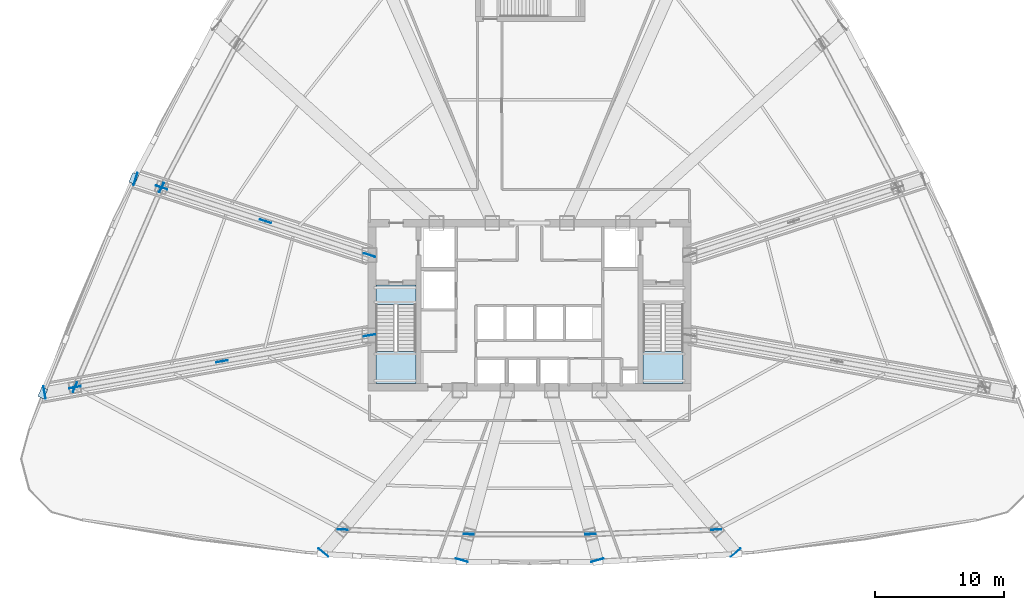
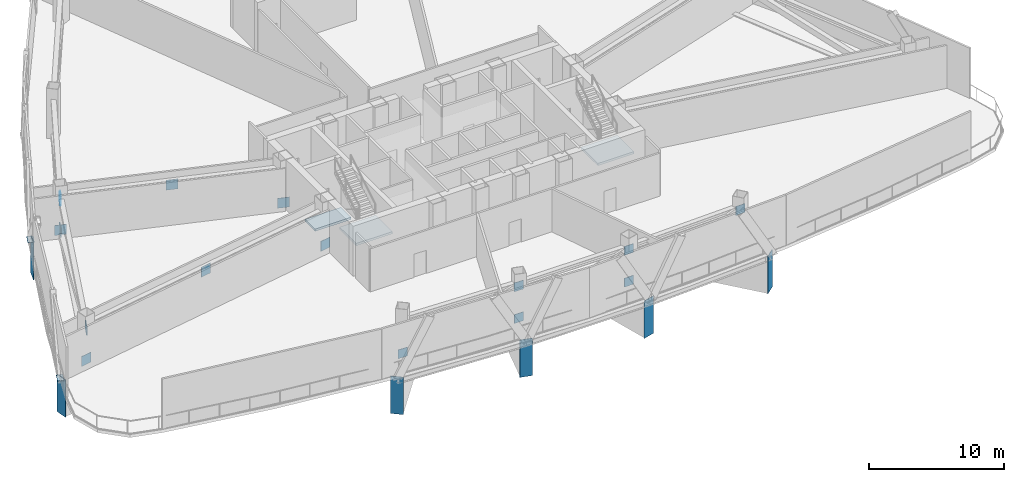
# One storey, part 4 of 17: 23 plates, 3 slabs, 2 elements without a shape of their own.
"""IFC4 building model written with IfcOpenShell, lengths in metres."""

import ifcopenshell
import ifcopenshell.guid

model = None  # the IFC model being written
_history = None  # IfcOwnerHistory: only IFC2X3 demands one
_inside = {}  # id of a spatial element -> (the spatial element, [elements in it])
_under = {}  # id of a project, library or spatial element -> (it, [spatial elements below it])
_declared = {}  # id of a project -> (the project, [libraries it declares])
_typed = {}  # id of a type object -> (the type object, [elements of that type])
_made_of = {}  # id of a material, layer set ... -> (it, [elements and type objects made of it])


def new_model(schema):
    """Start an empty IFC model of exactly this schema.

    Asked for "IFC4X3", IfcOpenShell would pick the latest addendum, in which some entities
    have other attributes; the version numbers below select the first issue.
    IFC2X3 requires an IfcOwnerHistory on every rooted entity: one is made here for all.
    """
    global model, _history
    if schema == "IFC4X3":
        model = ifcopenshell.file(schema_version=(4, 3, 0, 0))
    else:
        model = ifcopenshell.file(schema=schema)
    _inside.clear()
    _under.clear()
    _declared.clear()
    _typed.clear()
    _made_of.clear()
    _history = None
    if model.schema == "IFC2X3":
        org = make("IfcOrganization", Name="unknown")
        user = make(
            "IfcPersonAndOrganization",
            ThePerson=make("IfcPerson", FamilyName="unknown"),
            TheOrganization=org,
        )
        app = make(
            "IfcApplication",
            ApplicationDeveloper=org,
            Version="unknown",
            ApplicationFullName="unknown",
            ApplicationIdentifier="unknown",
        )
        _history = make(
            "IfcOwnerHistory",
            OwningUser=user,
            OwningApplication=app,
            ChangeAction="ADDED",
            CreationDate=0,
        )
    return model


def make(cls, **values):
    """One entity of the class cls with the attributes given. An attribute that is None is left unset."""
    return model.create_entity(
        cls, **{name: value for name, value in values.items() if value is not None}
    )


def rooted(cls, **values):
    """An entity with a GlobalId (a new one), such as an element, a storey or a relation."""
    return make(cls, GlobalId=ifcopenshell.guid.new(), OwnerHistory=_history, **values)


def si_unit(unit_type, name, prefix=None):
    """IfcSIUnit, for example si_unit("LENGTHUNIT", "METRE", prefix="MILLI")."""
    return make("IfcSIUnit", UnitType=unit_type, Prefix=prefix, Name=name)


def assignment(units):
    """IfcUnitAssignment: the units of a project."""
    return None if units is None else make("IfcUnitAssignment", Units=units)


def point(xyz):
    """IfcCartesianPoint."""
    return None if xyz is None else make("IfcCartesianPoint", Coordinates=xyz)


def direction(xyz):
    """IfcDirection."""
    return None if xyz is None else make("IfcDirection", DirectionRatios=xyz)


def frame(location, z_axis=None, x_axis=None):
    """IfcAxis2Placement3D, a coordinate frame: its origin and axes. An axis left out is left unset."""
    return make(
        "IfcAxis2Placement3D",
        Location=point(location),
        Axis=direction(z_axis),
        RefDirection=direction(x_axis),
    )


def frame_2d(location, x_axis=None):
    """IfcAxis2Placement2D, a coordinate frame in the plane: its origin and x axis."""
    return make(
        "IfcAxis2Placement2D", Location=point(location), RefDirection=direction(x_axis)
    )


def origin():
    """The frame at (0, 0, 0) with its axes left unset."""
    return frame((0.0, 0.0, 0.0))


def origin_2d():
    """The frame at (0, 0) in the plane with its x axis left unset."""
    return frame_2d((0.0, 0.0))


def place(relative_to, where):
    """IfcLocalPlacement: puts the frame where relative to a parent placement (None: the world)."""
    return make(
        "IfcLocalPlacement", PlacementRelTo=relative_to, RelativePlacement=where
    )


def context(
    kind, dimensions, precision=None, world=None, true_north=None, identifier=None
):
    """IfcGeometricRepresentationContext, for example the 3D "Model" context."""
    return make(
        "IfcGeometricRepresentationContext",
        ContextIdentifier=identifier,
        ContextType=kind,
        CoordinateSpaceDimension=dimensions,
        Precision=precision,
        WorldCoordinateSystem=world,
        TrueNorth=true_north,
    )


def subcontext(parent, identifier, kind, view, scale=None):
    """IfcGeometricRepresentationSubContext, for example "Body" below "Model"."""
    return make(
        "IfcGeometricRepresentationSubContext",
        ContextIdentifier=identifier,
        ContextType=kind,
        ParentContext=parent,
        TargetScale=scale,
        TargetView=view,
    )


def project(units=None, contexts=None):
    """IfcProject with its units and contexts."""
    return rooted(
        "IfcProject",
        Name="project",
        RepresentationContexts=contexts,
        UnitsInContext=assignment(units),
    )


def spatial(cls, under=None, at=None, **own):
    """A site, building, storey or space (cls), placed at a placement, below another one or the project."""
    s = rooted(cls, ObjectPlacement=at, **own)
    if under is not None:
        _under.setdefault(under.id(), (under, []))[1].append(s)
    return s


def polyline(points):
    """IfcPolyline through the points."""
    return make("IfcPolyline", Points=[point(p) for p in points])


def profile(cls, at=None, kind="AREA", **sizes):
    """A parametric profile (cls). Its sizes go by their IFC names, for example OverallWidth=200.0."""
    return make(cls, ProfileType=kind, Position=at, **sizes)


def rectangle(**sizes):
    """IfcRectangleProfileDef."""
    return profile("IfcRectangleProfileDef", **sizes)


def outline(outer, holes=None, kind="AREA"):
    """IfcArbitraryClosedProfileDef: a profile drawn as a closed curve; with holes, ...WithVoids."""
    if holes is None:
        return make("IfcArbitraryClosedProfileDef", ProfileType=kind, OuterCurve=outer)
    return make(
        "IfcArbitraryProfileDefWithVoids",
        ProfileType=kind,
        OuterCurve=outer,
        InnerCurves=holes,
    )


def extrude(swept, where, along, depth):
    """IfcExtrudedAreaSolid: the profile swept, set in the frame where, extruded along a direction by depth."""
    return make(
        "IfcExtrudedAreaSolid",
        SweptArea=swept,
        Position=where,
        ExtrudedDirection=direction(along),
        Depth=depth,
    )


def shape(context_of_items, identifier, shape_type, items):
    """IfcShapeRepresentation: the items that make up one representation, for example the "Body"."""
    return make(
        "IfcShapeRepresentation",
        ContextOfItems=context_of_items,
        RepresentationIdentifier=identifier,
        RepresentationType=shape_type,
        Items=items,
    )


def source(mapping_origin, context_of_items, identifier, shape_type, items):
    """IfcRepresentationMap: a shape defined once, which mapped items show again and again."""
    return make(
        "IfcRepresentationMap",
        MappingOrigin=mapping_origin,
        MappedRepresentation=shape(context_of_items, identifier, shape_type, items),
    )


def transform(
    local_origin,
    x_axis=None,
    y_axis=None,
    z_axis=None,
    scale=None,
    scale2=None,
    scale3=None,
    uniform=True,
):
    """IfcCartesianTransformationOperator3D, or its non-uniform kind. x_axis, y_axis, z_axis: its Axis1, 2, 3."""
    if uniform:
        return make(
            "IfcCartesianTransformationOperator3D",
            Axis1=direction(x_axis),
            Axis2=direction(y_axis),
            LocalOrigin=point(local_origin),
            Scale=scale,
            Axis3=direction(z_axis),
        )
    return make(
        "IfcCartesianTransformationOperator3DnonUniform",
        Axis1=direction(x_axis),
        Axis2=direction(y_axis),
        LocalOrigin=point(local_origin),
        Scale=scale,
        Axis3=direction(z_axis),
        Scale2=scale2,
        Scale3=scale3,
    )


def mapped(mapping_source, mapping_target):
    """IfcMappedItem: shows the shape of a source again, moved by a transform."""
    return make(
        "IfcMappedItem", MappingSource=mapping_source, MappingTarget=mapping_target
    )


def material(Name=None, Category=None):
    """IfcMaterial."""
    return make("IfcMaterial", Name=Name, Category=Category)


def layer(
    of_material, thickness, ventilated=None, Name=None, Category=None, Priority=None
):
    """IfcMaterialLayer: one layer of a wall or slab, of a material (None: an air gap)."""
    return make(
        "IfcMaterialLayer",
        Material=of_material,
        LayerThickness=thickness,
        IsVentilated=ventilated,
        Name=Name,
        Category=Category,
        Priority=Priority,
    )


def layer_set(layers, Name=None):
    """IfcMaterialLayerSet."""
    return make("IfcMaterialLayerSet", MaterialLayers=layers, LayerSetName=Name)


def made_of(thing, what):
    """Note that an element or type object is made of a material, layer set ...; save() writes the relation."""
    if what is not None:
        _made_of.setdefault(what.id(), (what, []))[1].append(thing)
    return thing


def type_object(cls, material=None, **own):
    """A type object (cls), such as IfcWallType, which elements share."""
    return made_of(rooted(cls, **own), material)


def element(
    cls,
    number,
    at=None,
    inside=None,
    cuts=None,
    type_object=None,
    material=None,
    context=None,
    identifier="Body",
    shape_type=None,
    held_by="IfcProductDefinitionShape",
    body=None,
    shapes=None,
    **own,
):
    """One element of the class cls, such as IfcWall. Its Tag is "e" and its number.

    at: its placement. inside: the storey or other place that contains it. cuts: it is an
    opening in that element (IfcRelVoidsElement). A single representation is given by context,
    identifier, shape_type and body (its items); several are given by shapes. held_by: the class
    of the entity that holds the representations. save() writes the other relations.
    """
    e = rooted(cls, Tag="e%d" % number, ObjectPlacement=at, **own)
    if body is not None:
        shapes = [shape(context, identifier, shape_type, body)]
    if shapes is not None:
        e.Representation = make(held_by, Representations=shapes)
    if inside is not None:
        _inside.setdefault(inside.id(), (inside, []))[1].append(e)
    if cuts is not None:
        rooted(
            "IfcRelVoidsElement", RelatingBuildingElement=cuts, RelatedOpeningElement=e
        )
    if type_object is not None:
        _typed.setdefault(type_object.id(), (type_object, []))[1].append(e)
    return made_of(e, material)


def aggregate(whole, parts):
    """IfcRelAggregates: a whole, such as a stair, and the parts it consists of."""
    return rooted("IfcRelAggregates", RelatingObject=whole, RelatedObjects=parts)


def save(model, path):
    """Write the relations noted so far, then the file.

    IfcRelAggregates (storeys below a building ...), IfcRelContainedInSpatialStructure (elements
    in a storey), IfcRelDefinesByType, IfcRelAssociatesMaterial and IfcRelDeclares: one each for
    every whole, place, type object, material and project.
    """
    for whole, parts in _under.values():
        aggregate(whole, parts)
    for where, things in _inside.values():
        rooted(
            "IfcRelContainedInSpatialStructure",
            RelatedElements=things,
            RelatingStructure=where,
        )
    for kind, things in _typed.values():
        rooted("IfcRelDefinesByType", RelatedObjects=things, RelatingType=kind)
    for what, things in _made_of.values():
        rooted("IfcRelAssociatesMaterial", RelatedObjects=things, RelatingMaterial=what)
    for by, libraries in _declared.values():
        rooted("IfcRelDeclares", RelatingContext=by, RelatedDefinitions=libraries)
    model.write(path)


model = new_model("IFC4")

# Units and contexts
model_context = context("Model", 3, precision=1e-05, world=origin(), true_north=direction((0.0, 1.0)))
body_context = subcontext(model_context, "Body", "Model", "MODEL_VIEW")
ifc_project = project(units=[si_unit("LENGTHUNIT", "METRE"), si_unit("AREAUNIT", "SQUARE_METRE"), si_unit("VOLUMEUNIT", "CUBIC_METRE"), si_unit("PLANEANGLEUNIT", "RADIAN"), si_unit("MASSUNIT", "GRAM", prefix="KILO"), si_unit("THERMODYNAMICTEMPERATUREUNIT", "KELVIN"), si_unit("POWERUNIT", "WATT")], contexts=[model_context])

# Site, building, storey
site_placement = place(None, origin())
site = spatial("IfcSite", under=ifc_project, at=site_placement, CompositionType="ELEMENT")
building_placement = place(site_placement, origin())
building = spatial("IfcBuilding", under=site, at=building_placement, Name="Yunzhuo Pagoda Commons", CompositionType="ELEMENT")
storey_placement = place(building_placement, frame((0.0, 0.0, 176.159912109375)))
storey = spatial("IfcBuildingStorey", under=building, at=storey_placement, Name="L44", CompositionType="ELEMENT", Elevation=176.159912109375)

# Stair, slabs
ifc_material_1 = material(Name="Concrete C40", Category="concrete")
stair_type_1 = type_object("IfcStairType", Name="ST-C1 Core Smokeproof Stair ST1", PredefinedType="HALF_TURN_STAIR", material=ifc_material_1)
stair_1_placement = place(storey_placement, origin())
stair_1 = element("IfcStair", 1, at=stair_1_placement, inside=storey, type_object=stair_type_1, Name="L44 Core smokeproof stair ST1", PredefinedType="HALF_TURN_STAIR")
ifc_layer_1 = layer(ifc_material_1, 0.199951171875)
ifc_layer_set_1 = layer_set([ifc_layer_1], Name="Concrete C40")
slab_type_1 = type_object("IfcSlabType", Name="SL-LND1 Stair Landing Slab 200", PredefinedType="LANDING", material=ifc_layer_set_1)
slab_1_placement = place(storey_placement, frame((0.0, 0.0, 2.2001953125)))
slab_1 = element("IfcSlab", 2, at=slab_1_placement, type_object=slab_type_1, Name="ST1 landing 1", PredefinedType="LANDING", context=body_context, shape_type="SweptSolid", body=[
    extrude(outline(polyline([(36.10009765625, 30.260009765625), (36.10009765625, 27.800048828125), (39.199951171875, 27.800048828125), (39.199951171875, 30.260009765625), (36.10009765625, 30.260009765625)])), origin(), (0.0, 0.0, 1.0), 0.199951171875),
])
slab_2_placement = place(storey_placement, frame((0.0, 0.0, -0.199951171875)))
slab_2 = element("IfcSlab", 3, at=slab_2_placement, type_object=slab_type_1, Name="ST1 floor landing L44", PredefinedType="LANDING", context=body_context, shape_type="SweptSolid", body=[
    extrude(outline(polyline([(36.10009765625, 35.39990234375), (36.10009765625, 33.89990234375), (39.199951171875, 33.89990234375), (39.199951171875, 35.39990234375), (36.10009765625, 35.39990234375)])), origin(), (0.0, 0.0, 1.0), 0.199951171875),
])
aggregate(stair_1, [slab_1, slab_2])

# Stair, slab
stair_type_2 = type_object("IfcStairType", Name="ST-C2 Core Smokeproof Stair ST2", PredefinedType="HALF_TURN_STAIR", material=ifc_material_1)
stair_2_placement = place(storey_placement, origin())
stair_2 = element("IfcStair", 4, at=stair_2_placement, inside=storey, type_object=stair_type_2, Name="L44 Core smokeproof stair ST2", PredefinedType="HALF_TURN_STAIR")
ifc_layer_2 = layer(ifc_material_1, 0.201904296875)
ifc_layer_set_2 = layer_set([ifc_layer_2], Name="Concrete C40")
slab_type_2 = type_object("IfcSlabType", Name="SL-LND2 Stair Landing Slab 202", PredefinedType="LANDING", material=ifc_layer_set_2)
slab_3_placement = place(storey_placement, frame((0.0, 0.0, 2.2001953125)))
slab_3 = element("IfcSlab", 5, at=slab_3_placement, type_object=slab_type_2, Name="ST2 landing 1", PredefinedType="LANDING", context=body_context, shape_type="SweptSolid", body=[
    extrude(outline(polyline([(56.800048828125, 30.260009765625), (56.800048828125, 27.800048828125), (59.89990234375, 27.800048828125), (59.89990234375, 30.260009765625), (56.800048828125, 30.260009765625)])), origin(), (0.0, 0.0, 1.0), 0.199951171875),
])
aggregate(stair_2, [slab_3])

# Plates
ifc_material_2 = material(Name="Structural steel Q420B", Category="steel")
ifc_layer_3 = layer(ifc_material_2, 0.0400390625)
ifc_layer_set_3 = layer_set([ifc_layer_3], Name="Structural steel Q420B")
plate_type_1 = type_object("IfcPlateType", Name="EP-TR2 Transfer Girder End Cap Plate 980x3540x40", PredefinedType="USERDEFINED", material=ifc_layer_set_3)
shared_shape_1 = source(origin(), body_context, "Body", "SweptSolid", [
    extrude(rectangle(XDim=0.97998046875, YDim=0.0400390625, at=origin_2d()), origin(), (0.0, 0.0, 1.0), 3.389892578125),
])
for number, where, z_axis, x_axis, name in (
    (6, (32.040771484375, 14.680419921875, -3.64990234375), (0.0, 0.0, 1.0), (0.766044443119, -0.642787609687, 0.0), "L44 transfer girder end cap plate F1C1"),
    (7, (42.748779296875, 14.102783203125, -3.64990234375), (0.0, 0.0, 1.0), (0.965925826289, -0.258819045103, 0.0), "L44 transfer girder end cap plate F1C2"),
    (8, (53.251220703125, 14.102783203125, -3.64990234375), (0.0, 0.0, 1.0), (0.965925826289, 0.258819045103, 0.0), "L44 transfer girder end cap plate F1C3"),
    (9, (63.959228515625, 14.680419921875, -3.64990234375), (0.0, 0.0, 1.0), (0.766044443119, 0.642787609687, 0.0), "L44 transfer girder end cap plate F1C4"),
    (10, (17.485107421875, 43.614990234375, -3.64990234375), (0.0, 0.0, 1.0), (-0.309016994375, -0.951056516295, 0.0), "L44 transfer girder end cap plate F3C3"),
    (11, (10.442626953125, 27.07763671875, -3.64990234375), (0.0, 0.0, 1.0), (0.173648177667, -0.984807753012, 0.0), "L44 transfer girder end cap plate F3C4"),
):
    element("IfcPlate", number, at=place(storey_placement, frame(where, z_axis=z_axis, x_axis=x_axis)), inside=storey, type_object=plate_type_1, Name=name, ObjectType="END_PLATE", PredefinedType="USERDEFINED", context=body_context, shape_type="MappedRepresentation", body=[
        mapped(shared_shape_1, transform((0.0, 0.0, 0.0), scale=1.0)),
    ])
ifc_layer_4 = layer(ifc_material_2, 0.0400390625)
ifc_layer_set_4 = layer_set([ifc_layer_4], Name="Structural steel Q420B")
plate_type_2 = type_object("IfcPlateType", Name="GP-OT1 Outrigger Gusset Plate 900x500x900", PredefinedType="USERDEFINED", material=ifc_layer_set_4)
shared_shape_2 = source(origin(), body_context, "Body", "SweptSolid", [
    extrude(rectangle(XDim=0.89990234375, YDim=0.0400390625, at=origin_2d()), origin(), (0.0, 0.0, 1.0), 0.89990234375),
])
for number, where, z_axis, x_axis, name in (
    (12, (27.552490234375, 40.34375, 2.690185546875), (0.0, 0.0, 1.0), (-0.951056516295, 0.309016994375, 0.0), "L44 outrigger apex gusset plate F3C3"),
    (13, (35.60009765625, 37.72900390625, -0.179931640625), (0.0, 0.0, 1.0), (-0.951056516295, 0.309016994375, 0.0), "L44 outrigger core gusset plate F3C3"),
    (14, (19.50537109375, 42.95849609375, -0.179931640625), (0.0, 0.0, 1.0), (-0.951056516295, 0.309016994375, 0.0), "L44 outrigger column gusset plate F3C3"),
    (15, (24.19677734375, 29.5029296875, 2.690185546875), (0.0, 0.0, 1.0), (-0.984807753012, -0.173648177667, 0.0), "L44 outrigger apex gusset plate F3C4"),
    (16, (35.60009765625, 31.513427734375, -0.179931640625), (0.0, 0.0, 1.0), (-0.984807753012, -0.173648177667, 0.0), "L44 outrigger core gusset plate F3C4"),
    (17, (12.79345703125, 27.4921875, -0.179931640625), (0.0, 0.0, 1.0), (-0.984807753012, -0.173648177667, 0.0), "L44 outrigger column gusset plate F3C4"),
):
    element("IfcPlate", number, at=place(storey_placement, frame(where, z_axis=z_axis, x_axis=x_axis)), inside=storey, type_object=plate_type_2, Name=name, ObjectType="GUSSET_PLATE", PredefinedType="USERDEFINED", context=body_context, shape_type="MappedRepresentation", body=[
        mapped(shared_shape_2, transform((0.0, 0.0, 0.0), scale=1.0)),
    ])
ifc_material_3 = material(Name="Structural steel Q355B", Category="steel")
ifc_layer_5 = layer(ifc_material_3, 0.028076171875)
ifc_layer_set_5 = layer_set([ifc_layer_5], Name="Structural steel Q355B")
plate_type_3 = type_object("IfcPlateType", Name="SP-ND1 Lattice Node Cap Plate 800x500x28", PredefinedType="USERDEFINED", material=ifc_layer_set_5)
shared_shape_3 = source(origin(), body_context, "Body", "SweptSolid", [
    extrude(rectangle(XDim=0.800048828125, YDim=0.0400390625, at=origin_2d()), origin(), (0.0, 0.0, 1.0), 0.800048828125),
])
for number, where, z_axis, x_axis, name in (
    (18, (33.538818359375, 16.4658203125, -0.1298828125), (0.0, 0.0, 1.0), (0.999343022989, -0.036242549637, 0.0), "L44 belt truss lower gusset plate 1"),
    (19, (43.287353515625, 16.1123046875, 2.740234375), (0.0, 0.0, 1.0), (0.999343022989, -0.036242549637, 0.0), "L44 belt truss upper gusset plate 1"),
    (20, (43.287353515625, 16.1123046875, -0.1298828125), (0.0, 0.0, 1.0), (1.0, 0.0, 0.0), "L44 belt truss lower gusset plate 2"),
    (21, (52.712646484375, 16.1123046875, 2.740234375), (0.0, 0.0, 1.0), (1.0, 0.0, 0.0), "L44 belt truss upper gusset plate 2"),
    (22, (52.712646484375, 16.1123046875, -0.1298828125), (0.0, 0.0, 1.0), (0.999343022989, 0.036242549637, 0.0), "L44 belt truss lower gusset plate 3"),
    (23, (62.461181640625, 16.4658203125, 2.740234375), (0.0, 0.0, 1.0), (0.999343022989, 0.036242549637, 0.0), "L44 belt truss upper gusset plate 3"),
    (24, (19.50537109375, 42.95849609375, 2.740234375), (0.0, 0.0, 1.0), (-0.464672053786, -0.885482852703, 0.0), "L44 belt truss upper gusset plate 10"),
    (25, (19.50537109375, 42.95849609375, -0.1298828125), (0.0, 0.0, 1.0), (-0.398092732462, -0.917345178415, 0.0), "L44 belt truss lower gusset plate 11"),
    (26, (12.79345703125, 27.4921875, 2.740234375), (0.0, 0.0, 1.0), (-0.398092732462, -0.917345178415, 0.0), "L44 belt truss upper gusset plate 11"),
):
    element("IfcPlate", number, at=place(storey_placement, frame(where, z_axis=z_axis, x_axis=x_axis)), inside=storey, type_object=plate_type_3, Name=name, ObjectType="STIFFENER_PLATE", PredefinedType="USERDEFINED", context=body_context, shape_type="MappedRepresentation", body=[
        mapped(shared_shape_3, transform((0.0, 0.0, 0.0), scale=1.0)),
    ])
shared_shape_4 = source(origin(), body_context, "Body", "SweptSolid", [
    extrude(rectangle(XDim=0.800048828125, YDim=0.5, at=origin_2d()), origin(), (0.0, 0.0, 1.0), 0.028076171875),
])
for number, where, z_axis, x_axis, name in (
    (27, (17.35498046875, 43.6572265625, -0.2939453125), (0.0, 0.0, 1.0), (-0.39069899657, -0.920518491981, 0.0), "L44 diamond node plate F3.3A"),
    (28, (10.3076171875, 27.0537109375, -0.2939453125), (0.0, 0.0, 1.0), (-0.39069899657, -0.920518491981, 0.0), "L44 diamond node plate F3.3B"),
):
    element("IfcPlate", number, at=place(storey_placement, frame(where, z_axis=z_axis, x_axis=x_axis)), inside=storey, type_object=plate_type_3, Name=name, ObjectType="STIFFENER_PLATE", PredefinedType="USERDEFINED", context=body_context, shape_type="MappedRepresentation", body=[
        mapped(shared_shape_4, transform((0.0, 0.0, 0.0), scale=1.0)),
    ])

save(model, "model.ifc")
